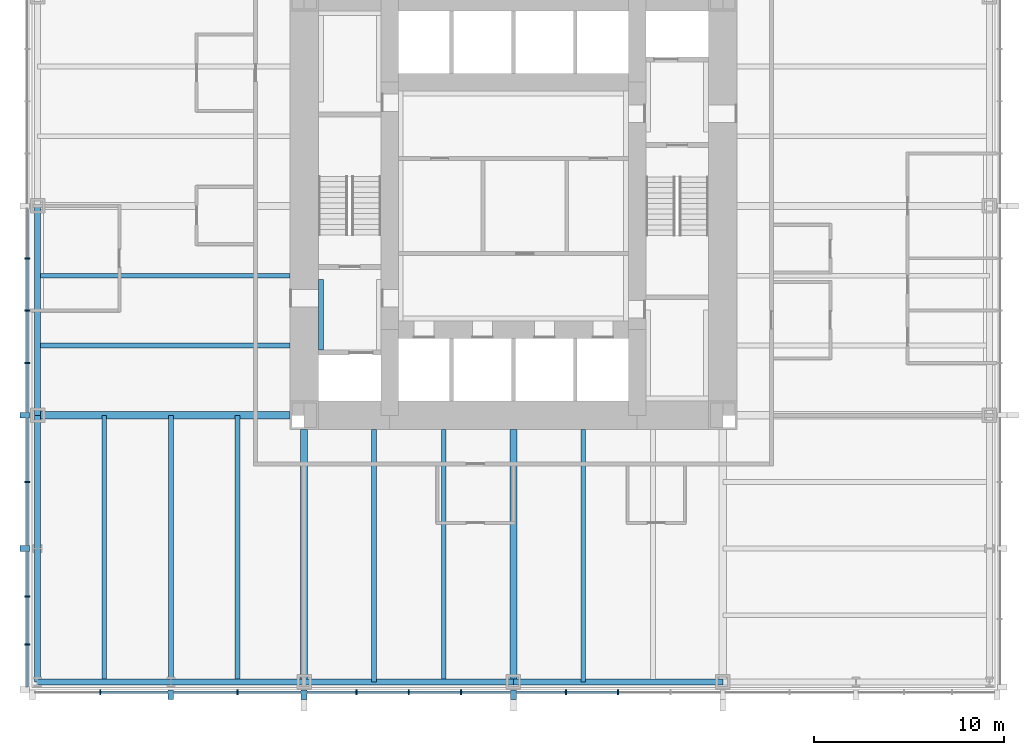
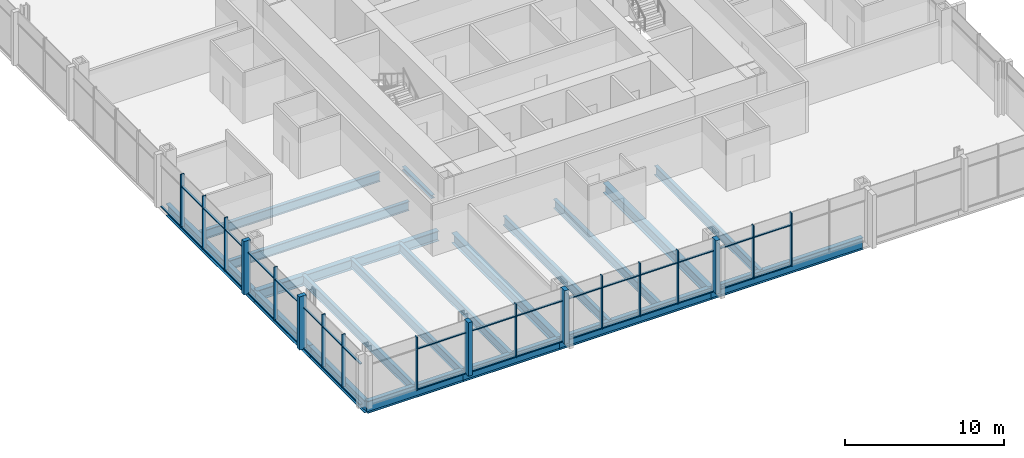
# One storey, part 2 of 12: 53 members, 19 beams, 2 elements without a shape of their own.
"""IFC4 building model written with IfcOpenShell, lengths in metres."""

from ifc_helpers import new_model, si_unit, direction, frame, origin, origin_2d, place, context, subcontext, project, spatial, rectangle, i_section, extrude, material, material_profile, profile_set, type_object, element, aggregate, save


model = new_model("IFC4")

# Units and contexts
model_context = context("Model", 3, precision=1e-05, world=origin(), true_north=direction((0.0, 1.0)))
body_context = subcontext(model_context, "Body", "Model", "MODEL_VIEW")
ifc_project = project(units=[si_unit("LENGTHUNIT", "METRE"), si_unit("AREAUNIT", "SQUARE_METRE"), si_unit("VOLUMEUNIT", "CUBIC_METRE"), si_unit("PLANEANGLEUNIT", "RADIAN"), si_unit("MASSUNIT", "GRAM", prefix="KILO")], contexts=[model_context])

# Site, building, storey
site_placement = place(None, origin())
site = spatial("IfcSite", under=ifc_project, at=site_placement, CompositionType="ELEMENT")
building_placement = place(site_placement, origin())
building = spatial("IfcBuilding", under=site, at=building_placement, Name="Trevanion Tower", CompositionType="ELEMENT")
storey_placement = place(building_placement, frame((0.0, 0.0, 24.199951171875)))
storey = spatial("IfcBuildingStorey", under=building, at=storey_placement, Name="L05", CompositionType="ELEMENT", Elevation=24.199951171875)

# Beams
ifc_material_1 = material(Name="Steel ASTM A992 Grade 50", Category="steel")
ifc_material_profile_1 = material_profile(ifc_material_1, i_section(OverallWidth=0.25390625, OverallDepth=0.700927734375, WebThickness=0.015380859375, FlangeThickness=0.02783203125, at=origin_2d()), Name="W27X129")
ifc_profile_set_1 = profile_set([ifc_material_profile_1], Name="Steel ASTM A992 Grade 50")
beam_type_1 = type_object("IfcBeamType", Name="B3 W27X129", PredefinedType="BEAM", material=ifc_profile_set_1)
for number, where, z_axis, x_axis, name in (
    (1, (-11.75, -3.666748046875, -0.54052734375), (-1.0, 0.0, 0.0), (0.0, -1.0, 0.0), "B3 L05"),
    (2, (-11.75, -7.333251953125, -0.54052734375), (-1.0, 0.0, 0.0), (0.0, -1.0, 0.0), "B3 L05"),
    (3, (-7.333251953125, -11.75, -0.54052734375), (0.0, -1.0, 0.0), (1.0, 0.0, 0.0), "B3 L05"),
    (4, (-3.666748046875, -11.75, -0.54052734375), (0.0, -1.0, 0.0), (1.0, 0.0, 0.0), "B3 L05"),
    (5, (3.666748046875, -11.75, -0.54052734375), (0.0, -1.0, 0.0), (1.0, 0.0, 0.0), "B3 L05"),
):
    element("IfcBeam", number, at=place(storey_placement, frame(where, z_axis=z_axis, x_axis=x_axis)), inside=storey, type_object=beam_type_1, Name=name, PredefinedType="BEAM", context=body_context, shape_type="SweptSolid", body=[
        extrude(i_section(OverallWidth=0.25390625, OverallDepth=0.700927734375, WebThickness=0.015380859375, FlangeThickness=0.02783203125, at=origin_2d()), origin(), (0.0, 0.0, 1.0), 13.25),
    ])
ifc_material_2 = material(Name="Steel ASTM A992 Grade 50", Category="steel")
ifc_material_profile_2 = material_profile(ifc_material_2, i_section(OverallWidth=0.256591796875, OverallDepth=0.693359375, WebThickness=0.014404296875, FlangeThickness=0.023681640625, at=origin_2d()), Name="W27X114")
ifc_profile_set_2 = profile_set([ifc_material_profile_2], Name="Steel ASTM A992 Grade 50")
beam_type_2 = type_object("IfcBeamType", Name="B4 W27X114", PredefinedType="BEAM", material=ifc_profile_set_2)
for number, where, z_axis, x_axis, name in (
    (6, (-14.5, -11.0, -0.53662109375), (0.0, -1.0, 0.0), (1.0, 0.0, 0.0), "B4 L05"),
    (7, (-18.0, -11.0, -0.53662109375), (0.0, -1.0, 0.0), (1.0, 0.0, 0.0), "B4 L05"),
    (8, (-21.5, -11.0, -0.53662109375), (0.0, -1.0, 0.0), (1.0, 0.0, 0.0), "B4 L05"),
):
    element("IfcBeam", number, at=place(storey_placement, frame(where, z_axis=z_axis, x_axis=x_axis)), inside=storey, type_object=beam_type_2, Name=name, PredefinedType="BEAM", context=body_context, shape_type="SweptSolid", body=[
        extrude(i_section(OverallWidth=0.256591796875, OverallDepth=0.693359375, WebThickness=0.014404296875, FlangeThickness=0.023681640625, at=origin_2d()), origin(), (0.0, 0.0, 1.0), 14.0),
    ])

# Curtain wall, members
ifc_material_3 = material(Name="Aluminium and glass", Category="aluminium")
curtain_wall_type = type_object("IfcCurtainWallType", Name="CW1 curtain wall", PredefinedType="USERDEFINED", material=ifc_material_3)
curtain_wall_1_placement = place(storey_placement, origin())
curtain_wall_1 = element("IfcCurtainWall", 9, at=curtain_wall_1_placement, inside=storey, type_object=curtain_wall_type, Name="CW1 L05 2", ObjectType="UNITISED CURTAIN WALL", PredefinedType="USERDEFINED")
ifc_material_4 = material(Name="Aluminium extrusion, anodised bronze", Category="aluminium")
ifc_material_profile_3 = material_profile(ifc_material_4, rectangle(XDim=0.074951171875, YDim=0.25, at=origin_2d()), Name="CW1 mullion")
ifc_profile_set_3 = profile_set([ifc_material_profile_3], Name="Aluminium extrusion, anodised bronze")
member_type_1 = type_object("IfcMemberType", Name="CW1 mullion", PredefinedType="MULLION", material=ifc_profile_set_3)
member_1_placement = place(storey_placement, frame((-25.550048828125, -2.75, -0.18994140625), z_axis=(0.0, 0.0, 1.0), x_axis=(0.0, -1.0, 0.0)))
member_1 = element("IfcMember", 10, at=member_1_placement, type_object=member_type_1, Name="CW1 mullion 10", PredefinedType="MULLION", context=body_context, shape_type="SweptSolid", body=[
    extrude(rectangle(XDim=0.074951171875, YDim=0.25, at=origin_2d()), origin(), (0.0, 0.0, 1.0), 4.10009765625),
])
member_2_placement = place(storey_placement, frame((-25.550048828125, -5.5, -0.18994140625), z_axis=(0.0, 0.0, 1.0), x_axis=(0.0, -1.0, 0.0)))
member_2 = element("IfcMember", 11, at=member_2_placement, type_object=member_type_1, Name="CW1 mullion 11", PredefinedType="MULLION", context=body_context, shape_type="SweptSolid", body=[
    extrude(rectangle(XDim=0.074951171875, YDim=0.25, at=origin_2d()), origin(), (0.0, 0.0, 1.0), 4.10009765625),
])
member_3_placement = place(storey_placement, frame((-25.550048828125, -8.25, -0.18994140625), z_axis=(0.0, 0.0, 1.0), x_axis=(0.0, -1.0, 0.0)))
member_3 = element("IfcMember", 12, at=member_3_placement, type_object=member_type_1, Name="CW1 mullion 12", PredefinedType="MULLION", context=body_context, shape_type="SweptSolid", body=[
    extrude(rectangle(XDim=0.074951171875, YDim=0.25, at=origin_2d()), origin(), (0.0, 0.0, 1.0), 4.10009765625),
])
member_4_placement = place(storey_placement, frame((-25.550048828125, -14.5, -0.18994140625), z_axis=(0.0, 0.0, 1.0), x_axis=(0.0, -1.0, 0.0)))
member_4 = element("IfcMember", 13, at=member_4_placement, type_object=member_type_1, Name="CW1 mullion 14", PredefinedType="MULLION", context=body_context, shape_type="SweptSolid", body=[
    extrude(rectangle(XDim=0.074951171875, YDim=0.25, at=origin_2d()), origin(), (0.0, 0.0, 1.0), 4.10009765625),
])
member_5_placement = place(storey_placement, frame((-25.550048828125, -20.5166015625, -0.18994140625), z_axis=(0.0, 0.0, 1.0), x_axis=(0.0, -1.0, 0.0)))
member_5 = element("IfcMember", 14, at=member_5_placement, type_object=member_type_1, Name="CW1 mullion 16", PredefinedType="MULLION", context=body_context, shape_type="SweptSolid", body=[
    extrude(rectangle(XDim=0.074951171875, YDim=0.25, at=origin_2d()), origin(), (0.0, 0.0, 1.0), 4.10009765625),
])
member_6_placement = place(storey_placement, frame((-25.550048828125, -23.033203125, -0.18994140625), z_axis=(0.0, 0.0, 1.0), x_axis=(0.0, -1.0, 0.0)))
member_6 = element("IfcMember", 15, at=member_6_placement, type_object=member_type_1, Name="CW1 mullion 17", PredefinedType="MULLION", context=body_context, shape_type="SweptSolid", body=[
    extrude(rectangle(XDim=0.074951171875, YDim=0.25, at=origin_2d()), origin(), (0.0, 0.0, 1.0), 4.10009765625),
])

curtain_wall_2_placement = place(storey_placement, origin())
curtain_wall_2 = element("IfcCurtainWall", 16, at=curtain_wall_2_placement, inside=storey, type_object=curtain_wall_type, Name="CW1 L05 3", ObjectType="UNITISED CURTAIN WALL", PredefinedType="USERDEFINED")
member_7_placement = place(storey_placement, frame((-21.7099609375, -25.550048828125, -0.18994140625), z_axis=(0.0, 0.0, 1.0), x_axis=(1.0, 0.0, 0.0)))
member_7 = element("IfcMember", 17, at=member_7_placement, type_object=member_type_1, Name="CW1 mullion 2", PredefinedType="MULLION", context=body_context, shape_type="SweptSolid", body=[
    extrude(rectangle(XDim=0.074951171875, YDim=0.25, at=origin_2d()), origin(), (0.0, 0.0, 1.0), 4.10009765625),
])
member_8_placement = place(storey_placement, frame((-14.5, -25.550048828125, -0.18994140625), z_axis=(0.0, 0.0, 1.0), x_axis=(1.0, 0.0, 0.0)))
member_8 = element("IfcMember", 18, at=member_8_placement, type_object=member_type_1, Name="CW1 mullion 4", PredefinedType="MULLION", context=body_context, shape_type="SweptSolid", body=[
    extrude(rectangle(XDim=0.074951171875, YDim=0.25, at=origin_2d()), origin(), (0.0, 0.0, 1.0), 4.10009765625),
])
member_9_placement = place(storey_placement, frame((-8.25, -25.550048828125, -0.18994140625), z_axis=(0.0, 0.0, 1.0), x_axis=(1.0, 0.0, 0.0)))
member_9 = element("IfcMember", 19, at=member_9_placement, type_object=member_type_1, Name="CW1 mullion 6", PredefinedType="MULLION", context=body_context, shape_type="SweptSolid", body=[
    extrude(rectangle(XDim=0.074951171875, YDim=0.25, at=origin_2d()), origin(), (0.0, 0.0, 1.0), 4.10009765625),
])
member_10_placement = place(storey_placement, frame((-5.5, -25.550048828125, -0.18994140625), z_axis=(0.0, 0.0, 1.0), x_axis=(1.0, 0.0, 0.0)))
member_10 = element("IfcMember", 20, at=member_10_placement, type_object=member_type_1, Name="CW1 mullion 7", PredefinedType="MULLION", context=body_context, shape_type="SweptSolid", body=[
    extrude(rectangle(XDim=0.074951171875, YDim=0.25, at=origin_2d()), origin(), (0.0, 0.0, 1.0), 4.10009765625),
])
member_11_placement = place(storey_placement, frame((-2.75, -25.550048828125, -0.18994140625), z_axis=(0.0, 0.0, 1.0), x_axis=(1.0, 0.0, 0.0)))
member_11 = element("IfcMember", 21, at=member_11_placement, type_object=member_type_1, Name="CW1 mullion 8", PredefinedType="MULLION", context=body_context, shape_type="SweptSolid", body=[
    extrude(rectangle(XDim=0.074951171875, YDim=0.25, at=origin_2d()), origin(), (0.0, 0.0, 1.0), 4.10009765625),
])
member_12_placement = place(storey_placement, frame((2.75, -25.550048828125, -0.18994140625), z_axis=(0.0, 0.0, 1.0), x_axis=(1.0, 0.0, 0.0)))
member_12 = element("IfcMember", 22, at=member_12_placement, type_object=member_type_1, Name="CW1 mullion 10", PredefinedType="MULLION", context=body_context, shape_type="SweptSolid", body=[
    extrude(rectangle(XDim=0.074951171875, YDim=0.25, at=origin_2d()), origin(), (0.0, 0.0, 1.0), 4.10009765625),
])
member_13_placement = place(storey_placement, frame((5.5, -25.550048828125, -0.18994140625), z_axis=(0.0, 0.0, 1.0), x_axis=(1.0, 0.0, 0.0)))
member_13 = element("IfcMember", 23, at=member_13_placement, type_object=member_type_1, Name="CW1 mullion 11", PredefinedType="MULLION", context=body_context, shape_type="SweptSolid", body=[
    extrude(rectangle(XDim=0.074951171875, YDim=0.25, at=origin_2d()), origin(), (0.0, 0.0, 1.0), 4.10009765625),
])

# Member
ifc_material_5 = material(Name="Aluminium extrusion, anodised bronze", Category="aluminium")
ifc_material_profile_4 = material_profile(ifc_material_5, rectangle(XDim=0.300048828125, YDim=0.5, at=origin_2d()), Name="CW1 pier mullion")
ifc_profile_set_4 = profile_set([ifc_material_profile_4], Name="Aluminium extrusion, anodised bronze")
member_type_2 = type_object("IfcMemberType", Name="CW1 pier mullion", PredefinedType="MULLION", material=ifc_profile_set_4)
member_14_placement = place(storey_placement, frame((-25.675048828125, -11.0, -0.18994140625), z_axis=(0.0, 0.0, 1.0), x_axis=(0.0, -1.0, 0.0)))
member_14 = element("IfcMember", 24, at=member_14_placement, type_object=member_type_2, Name="CW1 pier mullion 13", PredefinedType="MULLION", context=body_context, shape_type="SweptSolid", body=[
    extrude(rectangle(XDim=0.300048828125, YDim=0.5, at=origin_2d()), origin(), (0.0, 0.0, 1.0), 4.10009765625),
])

member_15_placement = place(storey_placement, frame((-25.675048828125, -18.0, -0.18994140625), z_axis=(0.0, 0.0, 1.0), x_axis=(0.0, -1.0, 0.0)))
member_15 = element("IfcMember", 25, at=member_15_placement, type_object=member_type_2, Name="CW1 pier mullion 15", PredefinedType="MULLION", context=body_context, shape_type="SweptSolid", body=[
    extrude(rectangle(XDim=0.300048828125, YDim=0.5, at=origin_2d()), origin(), (0.0, 0.0, 1.0), 4.10009765625),
])

member_16_placement = place(storey_placement, frame((-18.0, -25.675048828125, -0.18994140625), z_axis=(0.0, 0.0, 1.0), x_axis=(1.0, 0.0, 0.0)))
member_16 = element("IfcMember", 26, at=member_16_placement, type_object=member_type_2, Name="CW1 pier mullion 3", PredefinedType="MULLION", context=body_context, shape_type="SweptSolid", body=[
    extrude(rectangle(XDim=0.300048828125, YDim=0.5, at=origin_2d()), origin(), (0.0, 0.0, 1.0), 4.10009765625),
])

member_17_placement = place(storey_placement, frame((-11.0, -25.675048828125, -0.18994140625), z_axis=(0.0, 0.0, 1.0), x_axis=(1.0, 0.0, 0.0)))
member_17 = element("IfcMember", 27, at=member_17_placement, type_object=member_type_2, Name="CW1 pier mullion 5", PredefinedType="MULLION", context=body_context, shape_type="SweptSolid", body=[
    extrude(rectangle(XDim=0.300048828125, YDim=0.5, at=origin_2d()), origin(), (0.0, 0.0, 1.0), 4.10009765625),
])

member_18_placement = place(storey_placement, frame((0.0, -25.675048828125, -0.18994140625), z_axis=(0.0, 0.0, 1.0), x_axis=(1.0, 0.0, 0.0)))
member_18 = element("IfcMember", 28, at=member_18_placement, type_object=member_type_2, Name="CW1 pier mullion 9", PredefinedType="MULLION", context=body_context, shape_type="SweptSolid", body=[
    extrude(rectangle(XDim=0.300048828125, YDim=0.5, at=origin_2d()), origin(), (0.0, 0.0, 1.0), 4.10009765625),
])

ifc_material_6 = material(Name="Aluminium extrusion, anodised bronze", Category="aluminium")
ifc_material_profile_5 = material_profile(ifc_material_6, rectangle(XDim=0.14990234375, YDim=0.074951171875, at=origin_2d()), Name="CW1 transom")
ifc_profile_set_5 = profile_set([ifc_material_profile_5], Name="Aluminium extrusion, anodised bronze")
member_type_3 = type_object("IfcMemberType", Name="CW1 transom", PredefinedType="USERDEFINED", material=ifc_profile_set_5)
member_19_placement = place(storey_placement, frame((-25.550048828125, -0.14990234375, -0.15234375), z_axis=(0.0, -1.0, 0.0), x_axis=(1.0, 0.0, 0.0)))
member_19 = element("IfcMember", 29, at=member_19_placement, type_object=member_type_3, Name="CW1 transom 9.1", ObjectType="TRANSOM", PredefinedType="USERDEFINED", context=body_context, shape_type="SweptSolid", body=[
    extrude(rectangle(XDim=0.14990234375, YDim=0.074951171875, at=origin_2d()), origin(), (0.0, 0.0, 1.0), 2.5625),
])

member_20_placement = place(storey_placement, frame((-25.550048828125, -2.78759765625, -0.15234375), z_axis=(0.0, -1.0, 0.0), x_axis=(1.0, 0.0, 0.0)))
member_20 = element("IfcMember", 30, at=member_20_placement, type_object=member_type_3, Name="CW1 transom 10.1", ObjectType="TRANSOM", PredefinedType="USERDEFINED", context=body_context, shape_type="SweptSolid", body=[
    extrude(rectangle(XDim=0.14990234375, YDim=0.074951171875, at=origin_2d()), origin(), (0.0, 0.0, 1.0), 2.6748046875),
])

member_21_placement = place(storey_placement, frame((-25.550048828125, -2.78759765625, 2.9599609375), z_axis=(0.0, -1.0, 0.0), x_axis=(1.0, 0.0, 0.0)))
member_21 = element("IfcMember", 31, at=member_21_placement, type_object=member_type_3, Name="CW1 transom 10.2", ObjectType="TRANSOM", PredefinedType="USERDEFINED", context=body_context, shape_type="SweptSolid", body=[
    extrude(rectangle(XDim=0.14990234375, YDim=0.074951171875, at=origin_2d()), origin(), (0.0, 0.0, 1.0), 2.6748046875),
])

member_22_placement = place(storey_placement, frame((-25.550048828125, -5.53759765625, -0.15234375), z_axis=(0.0, -1.0, 0.0), x_axis=(1.0, 0.0, 0.0)))
member_22 = element("IfcMember", 32, at=member_22_placement, type_object=member_type_3, Name="CW1 transom 11.1", ObjectType="TRANSOM", PredefinedType="USERDEFINED", context=body_context, shape_type="SweptSolid", body=[
    extrude(rectangle(XDim=0.14990234375, YDim=0.074951171875, at=origin_2d()), origin(), (0.0, 0.0, 1.0), 2.6748046875),
])

member_23_placement = place(storey_placement, frame((-25.550048828125, -5.53759765625, 2.9599609375), z_axis=(0.0, -1.0, 0.0), x_axis=(1.0, 0.0, 0.0)))
member_23 = element("IfcMember", 33, at=member_23_placement, type_object=member_type_3, Name="CW1 transom 11.2", ObjectType="TRANSOM", PredefinedType="USERDEFINED", context=body_context, shape_type="SweptSolid", body=[
    extrude(rectangle(XDim=0.14990234375, YDim=0.074951171875, at=origin_2d()), origin(), (0.0, 0.0, 1.0), 2.6748046875),
])

member_24_placement = place(storey_placement, frame((-25.550048828125, -8.28759765625, -0.15234375), z_axis=(0.0, -1.0, 0.0), x_axis=(1.0, 0.0, 0.0)))
member_24 = element("IfcMember", 34, at=member_24_placement, type_object=member_type_3, Name="CW1 transom 12.1", ObjectType="TRANSOM", PredefinedType="USERDEFINED", context=body_context, shape_type="SweptSolid", body=[
    extrude(rectangle(XDim=0.14990234375, YDim=0.074951171875, at=origin_2d()), origin(), (0.0, 0.0, 1.0), 2.5625),
])

member_25_placement = place(storey_placement, frame((-25.550048828125, -8.28759765625, 2.9599609375), z_axis=(0.0, -1.0, 0.0), x_axis=(1.0, 0.0, 0.0)))
member_25 = element("IfcMember", 35, at=member_25_placement, type_object=member_type_3, Name="CW1 transom 12.2", ObjectType="TRANSOM", PredefinedType="USERDEFINED", context=body_context, shape_type="SweptSolid", body=[
    extrude(rectangle(XDim=0.14990234375, YDim=0.074951171875, at=origin_2d()), origin(), (0.0, 0.0, 1.0), 2.5625),
])

member_26_placement = place(storey_placement, frame((-25.550048828125, -11.14990234375, -0.15234375), z_axis=(0.0, -1.0, 0.0), x_axis=(1.0, 0.0, 0.0)))
member_26 = element("IfcMember", 36, at=member_26_placement, type_object=member_type_3, Name="CW1 transom 13.1", ObjectType="TRANSOM", PredefinedType="USERDEFINED", context=body_context, shape_type="SweptSolid", body=[
    extrude(rectangle(XDim=0.14990234375, YDim=0.074951171875, at=origin_2d()), origin(), (0.0, 0.0, 1.0), 3.3125),
])

member_27_placement = place(storey_placement, frame((-25.550048828125, -11.14990234375, 2.9599609375), z_axis=(0.0, -1.0, 0.0), x_axis=(1.0, 0.0, 0.0)))
member_27 = element("IfcMember", 37, at=member_27_placement, type_object=member_type_3, Name="CW1 transom 13.2", ObjectType="TRANSOM", PredefinedType="USERDEFINED", context=body_context, shape_type="SweptSolid", body=[
    extrude(rectangle(XDim=0.14990234375, YDim=0.074951171875, at=origin_2d()), origin(), (0.0, 0.0, 1.0), 3.3125),
])

member_28_placement = place(storey_placement, frame((-25.550048828125, -14.53759765625, -0.15234375), z_axis=(0.0, -1.0, 0.0), x_axis=(1.0, 0.0, 0.0)))
member_28 = element("IfcMember", 38, at=member_28_placement, type_object=member_type_3, Name="CW1 transom 14.1", ObjectType="TRANSOM", PredefinedType="USERDEFINED", context=body_context, shape_type="SweptSolid", body=[
    extrude(rectangle(XDim=0.14990234375, YDim=0.074951171875, at=origin_2d()), origin(), (0.0, 0.0, 1.0), 3.3125),
])

member_29_placement = place(storey_placement, frame((-25.550048828125, -14.53759765625, 2.9599609375), z_axis=(0.0, -1.0, 0.0), x_axis=(1.0, 0.0, 0.0)))
member_29 = element("IfcMember", 39, at=member_29_placement, type_object=member_type_3, Name="CW1 transom 14.2", ObjectType="TRANSOM", PredefinedType="USERDEFINED", context=body_context, shape_type="SweptSolid", body=[
    extrude(rectangle(XDim=0.14990234375, YDim=0.074951171875, at=origin_2d()), origin(), (0.0, 0.0, 1.0), 3.3125),
])

member_30_placement = place(storey_placement, frame((-25.550048828125, -18.14990234375, -0.15234375), z_axis=(0.0, -1.0, 0.0), x_axis=(1.0, 0.0, 0.0)))
member_30 = element("IfcMember", 40, at=member_30_placement, type_object=member_type_3, Name="CW1 transom 15.1", ObjectType="TRANSOM", PredefinedType="USERDEFINED", context=body_context, shape_type="SweptSolid", body=[
    extrude(rectangle(XDim=0.14990234375, YDim=0.074951171875, at=origin_2d()), origin(), (0.0, 0.0, 1.0), 2.329345703125),
])

member_31_placement = place(storey_placement, frame((-25.550048828125, -18.14990234375, 2.9599609375), z_axis=(0.0, -1.0, 0.0), x_axis=(1.0, 0.0, 0.0)))
member_31 = element("IfcMember", 41, at=member_31_placement, type_object=member_type_3, Name="CW1 transom 15.2", ObjectType="TRANSOM", PredefinedType="USERDEFINED", context=body_context, shape_type="SweptSolid", body=[
    extrude(rectangle(XDim=0.14990234375, YDim=0.074951171875, at=origin_2d()), origin(), (0.0, 0.0, 1.0), 2.329345703125),
])

member_32_placement = place(storey_placement, frame((-25.550048828125, -20.55419921875, -0.15234375), z_axis=(0.0, -1.0, 0.0), x_axis=(1.0, 0.0, 0.0)))
member_32 = element("IfcMember", 42, at=member_32_placement, type_object=member_type_3, Name="CW1 transom 16.1", ObjectType="TRANSOM", PredefinedType="USERDEFINED", context=body_context, shape_type="SweptSolid", body=[
    extrude(rectangle(XDim=0.14990234375, YDim=0.074951171875, at=origin_2d()), origin(), (0.0, 0.0, 1.0), 2.441650390625),
])

member_33_placement = place(storey_placement, frame((-25.550048828125, -20.55419921875, 2.9599609375), z_axis=(0.0, -1.0, 0.0), x_axis=(1.0, 0.0, 0.0)))
member_33 = element("IfcMember", 43, at=member_33_placement, type_object=member_type_3, Name="CW1 transom 16.2", ObjectType="TRANSOM", PredefinedType="USERDEFINED", context=body_context, shape_type="SweptSolid", body=[
    extrude(rectangle(XDim=0.14990234375, YDim=0.074951171875, at=origin_2d()), origin(), (0.0, 0.0, 1.0), 2.441650390625),
])

member_34_placement = place(storey_placement, frame((-25.550048828125, -23.07080078125, -0.15234375), z_axis=(0.0, -1.0, 0.0), x_axis=(1.0, 0.0, 0.0)))
member_34 = element("IfcMember", 44, at=member_34_placement, type_object=member_type_3, Name="CW1 transom 17.1", ObjectType="TRANSOM", PredefinedType="USERDEFINED", context=body_context, shape_type="SweptSolid", body=[
    extrude(rectangle(XDim=0.14990234375, YDim=0.074951171875, at=origin_2d()), origin(), (0.0, 0.0, 1.0), 2.17919921875),
])

member_35_placement = place(storey_placement, frame((-25.550048828125, -23.07080078125, 2.9599609375), z_axis=(0.0, -1.0, 0.0), x_axis=(1.0, 0.0, 0.0)))
member_35 = element("IfcMember", 45, at=member_35_placement, type_object=member_type_3, Name="CW1 transom 17.2", ObjectType="TRANSOM", PredefinedType="USERDEFINED", context=body_context, shape_type="SweptSolid", body=[
    extrude(rectangle(XDim=0.14990234375, YDim=0.074951171875, at=origin_2d()), origin(), (0.0, 0.0, 1.0), 2.17919921875),
])

aggregate(curtain_wall_1, [member_1, member_2, member_3, member_14, member_4, member_15, member_5, member_6, member_19, member_20, member_21, member_22, member_23, member_24, member_25, member_26, member_27, member_28, member_29, member_30, member_31, member_32, member_33, member_34, member_35])

member_36_placement = place(storey_placement, frame((-21.672607421875, -25.550048828125, -0.15234375), z_axis=(1.0, 0.0, 0.0), x_axis=(0.0, 1.0, 0.0)))
member_36 = element("IfcMember", 46, at=member_36_placement, type_object=member_type_3, Name="CW1 transom 2.1", ObjectType="TRANSOM", PredefinedType="USERDEFINED", context=body_context, shape_type="SweptSolid", body=[
    extrude(rectangle(XDim=0.14990234375, YDim=0.074951171875, at=origin_2d()), origin(), (0.0, 0.0, 1.0), 3.522705078125),
])

member_37_placement = place(storey_placement, frame((-21.672607421875, -25.550048828125, 2.9599609375), z_axis=(1.0, 0.0, 0.0), x_axis=(0.0, 1.0, 0.0)))
member_37 = element("IfcMember", 47, at=member_37_placement, type_object=member_type_3, Name="CW1 transom 2.2", ObjectType="TRANSOM", PredefinedType="USERDEFINED", context=body_context, shape_type="SweptSolid", body=[
    extrude(rectangle(XDim=0.14990234375, YDim=0.074951171875, at=origin_2d()), origin(), (0.0, 0.0, 1.0), 3.522705078125),
])

member_38_placement = place(storey_placement, frame((-17.85009765625, -25.550048828125, -0.15234375), z_axis=(1.0, 0.0, 0.0), x_axis=(0.0, 1.0, 0.0)))
member_38 = element("IfcMember", 48, at=member_38_placement, type_object=member_type_3, Name="CW1 transom 3.1", ObjectType="TRANSOM", PredefinedType="USERDEFINED", context=body_context, shape_type="SweptSolid", body=[
    extrude(rectangle(XDim=0.14990234375, YDim=0.074951171875, at=origin_2d()), origin(), (0.0, 0.0, 1.0), 3.3125),
])

member_39_placement = place(storey_placement, frame((-17.85009765625, -25.550048828125, 2.9599609375), z_axis=(1.0, 0.0, 0.0), x_axis=(0.0, 1.0, 0.0)))
member_39 = element("IfcMember", 49, at=member_39_placement, type_object=member_type_3, Name="CW1 transom 3.2", ObjectType="TRANSOM", PredefinedType="USERDEFINED", context=body_context, shape_type="SweptSolid", body=[
    extrude(rectangle(XDim=0.14990234375, YDim=0.074951171875, at=origin_2d()), origin(), (0.0, 0.0, 1.0), 3.3125),
])

member_40_placement = place(storey_placement, frame((-14.46240234375, -25.550048828125, -0.15234375), z_axis=(1.0, 0.0, 0.0), x_axis=(0.0, 1.0, 0.0)))
member_40 = element("IfcMember", 50, at=member_40_placement, type_object=member_type_3, Name="CW1 transom 4.1", ObjectType="TRANSOM", PredefinedType="USERDEFINED", context=body_context, shape_type="SweptSolid", body=[
    extrude(rectangle(XDim=0.14990234375, YDim=0.074951171875, at=origin_2d()), origin(), (0.0, 0.0, 1.0), 3.3125),
])

member_41_placement = place(storey_placement, frame((-14.46240234375, -25.550048828125, 2.9599609375), z_axis=(1.0, 0.0, 0.0), x_axis=(0.0, 1.0, 0.0)))
member_41 = element("IfcMember", 51, at=member_41_placement, type_object=member_type_3, Name="CW1 transom 4.2", ObjectType="TRANSOM", PredefinedType="USERDEFINED", context=body_context, shape_type="SweptSolid", body=[
    extrude(rectangle(XDim=0.14990234375, YDim=0.074951171875, at=origin_2d()), origin(), (0.0, 0.0, 1.0), 3.3125),
])

member_42_placement = place(storey_placement, frame((-10.85009765625, -25.550048828125, -0.15234375), z_axis=(1.0, 0.0, 0.0), x_axis=(0.0, 1.0, 0.0)))
member_42 = element("IfcMember", 52, at=member_42_placement, type_object=member_type_3, Name="CW1 transom 5.1", ObjectType="TRANSOM", PredefinedType="USERDEFINED", context=body_context, shape_type="SweptSolid", body=[
    extrude(rectangle(XDim=0.14990234375, YDim=0.074951171875, at=origin_2d()), origin(), (0.0, 0.0, 1.0), 2.5625),
])

member_43_placement = place(storey_placement, frame((-10.85009765625, -25.550048828125, 2.9599609375), z_axis=(1.0, 0.0, 0.0), x_axis=(0.0, 1.0, 0.0)))
member_43 = element("IfcMember", 53, at=member_43_placement, type_object=member_type_3, Name="CW1 transom 5.2", ObjectType="TRANSOM", PredefinedType="USERDEFINED", context=body_context, shape_type="SweptSolid", body=[
    extrude(rectangle(XDim=0.14990234375, YDim=0.074951171875, at=origin_2d()), origin(), (0.0, 0.0, 1.0), 2.5625),
])

member_44_placement = place(storey_placement, frame((-8.21240234375, -25.550048828125, -0.15234375), z_axis=(1.0, 0.0, 0.0), x_axis=(0.0, 1.0, 0.0)))
member_44 = element("IfcMember", 54, at=member_44_placement, type_object=member_type_3, Name="CW1 transom 6.1", ObjectType="TRANSOM", PredefinedType="USERDEFINED", context=body_context, shape_type="SweptSolid", body=[
    extrude(rectangle(XDim=0.14990234375, YDim=0.074951171875, at=origin_2d()), origin(), (0.0, 0.0, 1.0), 2.6748046875),
])

member_45_placement = place(storey_placement, frame((-8.21240234375, -25.550048828125, 2.9599609375), z_axis=(1.0, 0.0, 0.0), x_axis=(0.0, 1.0, 0.0)))
member_45 = element("IfcMember", 55, at=member_45_placement, type_object=member_type_3, Name="CW1 transom 6.2", ObjectType="TRANSOM", PredefinedType="USERDEFINED", context=body_context, shape_type="SweptSolid", body=[
    extrude(rectangle(XDim=0.14990234375, YDim=0.074951171875, at=origin_2d()), origin(), (0.0, 0.0, 1.0), 2.6748046875),
])

member_46_placement = place(storey_placement, frame((-5.46240234375, -25.550048828125, -0.15234375), z_axis=(1.0, 0.0, 0.0), x_axis=(0.0, 1.0, 0.0)))
member_46 = element("IfcMember", 56, at=member_46_placement, type_object=member_type_3, Name="CW1 transom 7.1", ObjectType="TRANSOM", PredefinedType="USERDEFINED", context=body_context, shape_type="SweptSolid", body=[
    extrude(rectangle(XDim=0.14990234375, YDim=0.074951171875, at=origin_2d()), origin(), (0.0, 0.0, 1.0), 2.6748046875),
])

member_47_placement = place(storey_placement, frame((-5.46240234375, -25.550048828125, 2.9599609375), z_axis=(1.0, 0.0, 0.0), x_axis=(0.0, 1.0, 0.0)))
member_47 = element("IfcMember", 57, at=member_47_placement, type_object=member_type_3, Name="CW1 transom 7.2", ObjectType="TRANSOM", PredefinedType="USERDEFINED", context=body_context, shape_type="SweptSolid", body=[
    extrude(rectangle(XDim=0.14990234375, YDim=0.074951171875, at=origin_2d()), origin(), (0.0, 0.0, 1.0), 2.6748046875),
])

member_48_placement = place(storey_placement, frame((-2.71240234375, -25.550048828125, -0.15234375), z_axis=(1.0, 0.0, 0.0), x_axis=(0.0, 1.0, 0.0)))
member_48 = element("IfcMember", 58, at=member_48_placement, type_object=member_type_3, Name="CW1 transom 8.1", ObjectType="TRANSOM", PredefinedType="USERDEFINED", context=body_context, shape_type="SweptSolid", body=[
    extrude(rectangle(XDim=0.14990234375, YDim=0.074951171875, at=origin_2d()), origin(), (0.0, 0.0, 1.0), 2.5625),
])

member_49_placement = place(storey_placement, frame((-2.71240234375, -25.550048828125, 2.9599609375), z_axis=(1.0, 0.0, 0.0), x_axis=(0.0, 1.0, 0.0)))
member_49 = element("IfcMember", 59, at=member_49_placement, type_object=member_type_3, Name="CW1 transom 8.2", ObjectType="TRANSOM", PredefinedType="USERDEFINED", context=body_context, shape_type="SweptSolid", body=[
    extrude(rectangle(XDim=0.14990234375, YDim=0.074951171875, at=origin_2d()), origin(), (0.0, 0.0, 1.0), 2.5625),
])

member_50_placement = place(storey_placement, frame((0.14990234375, -25.550048828125, -0.15234375), z_axis=(1.0, 0.0, 0.0), x_axis=(0.0, 1.0, 0.0)))
member_50 = element("IfcMember", 60, at=member_50_placement, type_object=member_type_3, Name="CW1 transom 9.1", ObjectType="TRANSOM", PredefinedType="USERDEFINED", context=body_context, shape_type="SweptSolid", body=[
    extrude(rectangle(XDim=0.14990234375, YDim=0.074951171875, at=origin_2d()), origin(), (0.0, 0.0, 1.0), 2.5625),
])

member_51_placement = place(storey_placement, frame((0.14990234375, -25.550048828125, 2.9599609375), z_axis=(1.0, 0.0, 0.0), x_axis=(0.0, 1.0, 0.0)))
member_51 = element("IfcMember", 61, at=member_51_placement, type_object=member_type_3, Name="CW1 transom 9.2", ObjectType="TRANSOM", PredefinedType="USERDEFINED", context=body_context, shape_type="SweptSolid", body=[
    extrude(rectangle(XDim=0.14990234375, YDim=0.074951171875, at=origin_2d()), origin(), (0.0, 0.0, 1.0), 2.5625),
])

member_52_placement = place(storey_placement, frame((2.78759765625, -25.550048828125, -0.15234375), z_axis=(1.0, 0.0, 0.0), x_axis=(0.0, 1.0, 0.0)))
member_52 = element("IfcMember", 62, at=member_52_placement, type_object=member_type_3, Name="CW1 transom 10.1", ObjectType="TRANSOM", PredefinedType="USERDEFINED", context=body_context, shape_type="SweptSolid", body=[
    extrude(rectangle(XDim=0.14990234375, YDim=0.074951171875, at=origin_2d()), origin(), (0.0, 0.0, 1.0), 2.6748046875),
])

member_53_placement = place(storey_placement, frame((2.78759765625, -25.550048828125, 2.9599609375), z_axis=(1.0, 0.0, 0.0), x_axis=(0.0, 1.0, 0.0)))
member_53 = element("IfcMember", 63, at=member_53_placement, type_object=member_type_3, Name="CW1 transom 10.2", ObjectType="TRANSOM", PredefinedType="USERDEFINED", context=body_context, shape_type="SweptSolid", body=[
    extrude(rectangle(XDim=0.14990234375, YDim=0.074951171875, at=origin_2d()), origin(), (0.0, 0.0, 1.0), 2.6748046875),
])

aggregate(curtain_wall_2, [member_7, member_16, member_8, member_17, member_9, member_10, member_11, member_18, member_12, member_13, member_36, member_37, member_38, member_39, member_40, member_41, member_42, member_43, member_44, member_45, member_46, member_47, member_48, member_49, member_50, member_51, member_52, member_53])

# Beams
ifc_material_7 = material(Name="Steel ASTM A992 Grade 50", Category="steel")
ifc_material_profile_6 = material_profile(ifc_material_7, i_section(OverallWidth=0.381103515625, OverallDepth=0.77978515625, WebThickness=0.01806640625, FlangeThickness=0.0302734375, at=origin_2d()), Name="W30X191")
ifc_profile_set_6 = profile_set([ifc_material_profile_6], Name="Steel ASTM A992 Grade 50")
beam_type_3 = type_object("IfcBeamType", Name="G2 W30X191", PredefinedType="BEAM", material=ifc_profile_set_6)
for number, where, z_axis, x_axis, name in (
    (64, (-11.75, -11.0, -0.579833984375), (-1.0, 0.0, 0.0), (0.0, -1.0, 0.0), "G2 L05"),
    (65, (-11.0, -11.75, -0.579833984375), (0.0, -1.0, 0.0), (1.0, 0.0, 0.0), "G2 L05"),
    (66, (0.0, -11.75, -0.579833984375), (0.0, -1.0, 0.0), (1.0, 0.0, 0.0), "G2 L05"),
):
    element("IfcBeam", number, at=place(storey_placement, frame(where, z_axis=z_axis, x_axis=x_axis)), inside=storey, type_object=beam_type_3, Name=name, PredefinedType="BEAM", context=body_context, shape_type="SweptSolid", body=[
        extrude(i_section(OverallWidth=0.381103515625, OverallDepth=0.77978515625, WebThickness=0.01806640625, FlangeThickness=0.0302734375, at=origin_2d()), origin(), (0.0, 0.0, 1.0), 13.25),
    ])
ifc_material_8 = material(Name="Steel ASTM A992 Grade 50", Category="steel")
ifc_material_profile_7 = material_profile(ifc_material_8, i_section(OverallWidth=0.256591796875, OverallDepth=0.26416015625, WebThickness=0.011962890625, FlangeThickness=0.01953125, at=origin_2d()), Name="W10X68")
ifc_profile_set_7 = profile_set([ifc_material_profile_7], Name="Steel ASTM A992 Grade 50")
beam_type_4 = type_object("IfcBeamType", Name="LB1 W10X68", PredefinedType="BEAM", material=ifc_profile_set_7)
beam_1_placement = place(storey_placement, frame((-10.12158203125, -7.574951171875, -0.33203125), z_axis=(0.0, 1.0, 0.0), x_axis=(-1.0, 0.0, 0.0)))
element("IfcBeam", 67, at=beam_1_placement, inside=storey, type_object=beam_type_4, Name="LB1 L05", PredefinedType="BEAM", context=body_context, shape_type="SweptSolid", body=[
    extrude(i_section(OverallWidth=0.256591796875, OverallDepth=0.26416015625, WebThickness=0.011962890625, FlangeThickness=0.01953125, at=origin_2d()), origin(), (0.0, 0.0, 1.0), 3.699951171875),
])
ifc_material_9 = material(Name="Steel ASTM A992 Grade 50", Category="steel")
ifc_material_profile_8 = material_profile(ifc_material_9, i_section(OverallWidth=0.307373046875, OverallDepth=0.927001953125, WebThickness=0.01953125, FlangeThickness=0.031982421875, at=origin_2d()), Name="W36X194")
ifc_profile_set_8 = profile_set([ifc_material_profile_8], Name="Steel ASTM A992 Grade 50")
beam_type_5 = type_object("IfcBeamType", Name="SB2 W36X194", PredefinedType="SPANDREL", material=ifc_profile_set_8)
beam_2_placement = place(storey_placement, frame((-25.0, 0.0, -0.653564453125), z_axis=(0.0, -1.0, 0.0), x_axis=(1.0, 0.0, 0.0)))
element("IfcBeam", 68, at=beam_2_placement, inside=storey, type_object=beam_type_5, Name="SB2 L05", PredefinedType="SPANDREL", context=body_context, shape_type="SweptSolid", body=[
    extrude(i_section(OverallWidth=0.307373046875, OverallDepth=0.927001953125, WebThickness=0.01953125, FlangeThickness=0.031982421875, at=origin_2d()), origin(), (0.0, 0.0, 1.0), 11.0),
])
for number, where, z_axis, x_axis, name in (
    (69, (-25.0, -11.0, -0.653564453125), (0.0, -1.0, 0.0), (1.0, 0.0, 0.0), "SB2 L05"),
    (70, (-25.0, -18.0, -0.653564453125), (0.0, -1.0, 0.0), (1.0, 0.0, 0.0), "SB2 L05"),
    (71, (-25.0, -25.0, -0.653564453125), (1.0, 0.0, 0.0), (0.0, 1.0, 0.0), "SB2 L05"),
    (72, (-18.0, -25.0, -0.653564453125), (1.0, 0.0, 0.0), (0.0, 1.0, 0.0), "SB2 L05"),
):
    element("IfcBeam", number, at=place(storey_placement, frame(where, z_axis=z_axis, x_axis=x_axis)), inside=storey, type_object=beam_type_5, Name=name, PredefinedType="SPANDREL", context=body_context, shape_type="SweptSolid", body=[
        extrude(i_section(OverallWidth=0.307373046875, OverallDepth=0.927001953125, WebThickness=0.01953125, FlangeThickness=0.031982421875, at=origin_2d()), origin(), (0.0, 0.0, 1.0), 7.0),
    ])
for number, where, z_axis, x_axis, name in (
    (73, (-11.0, -25.0, -0.653564453125), (1.0, 0.0, 0.0), (0.0, 1.0, 0.0), "SB2 L05"),
    (74, (0.0, -25.0, -0.653564453125), (1.0, 0.0, 0.0), (0.0, 1.0, 0.0), "SB2 L05"),
):
    element("IfcBeam", number, at=place(storey_placement, frame(where, z_axis=z_axis, x_axis=x_axis)), inside=storey, type_object=beam_type_5, Name=name, PredefinedType="SPANDREL", context=body_context, shape_type="SweptSolid", body=[
        extrude(i_section(OverallWidth=0.307373046875, OverallDepth=0.927001953125, WebThickness=0.01953125, FlangeThickness=0.031982421875, at=origin_2d()), origin(), (0.0, 0.0, 1.0), 11.0),
    ])

save(model, "model.ifc")
